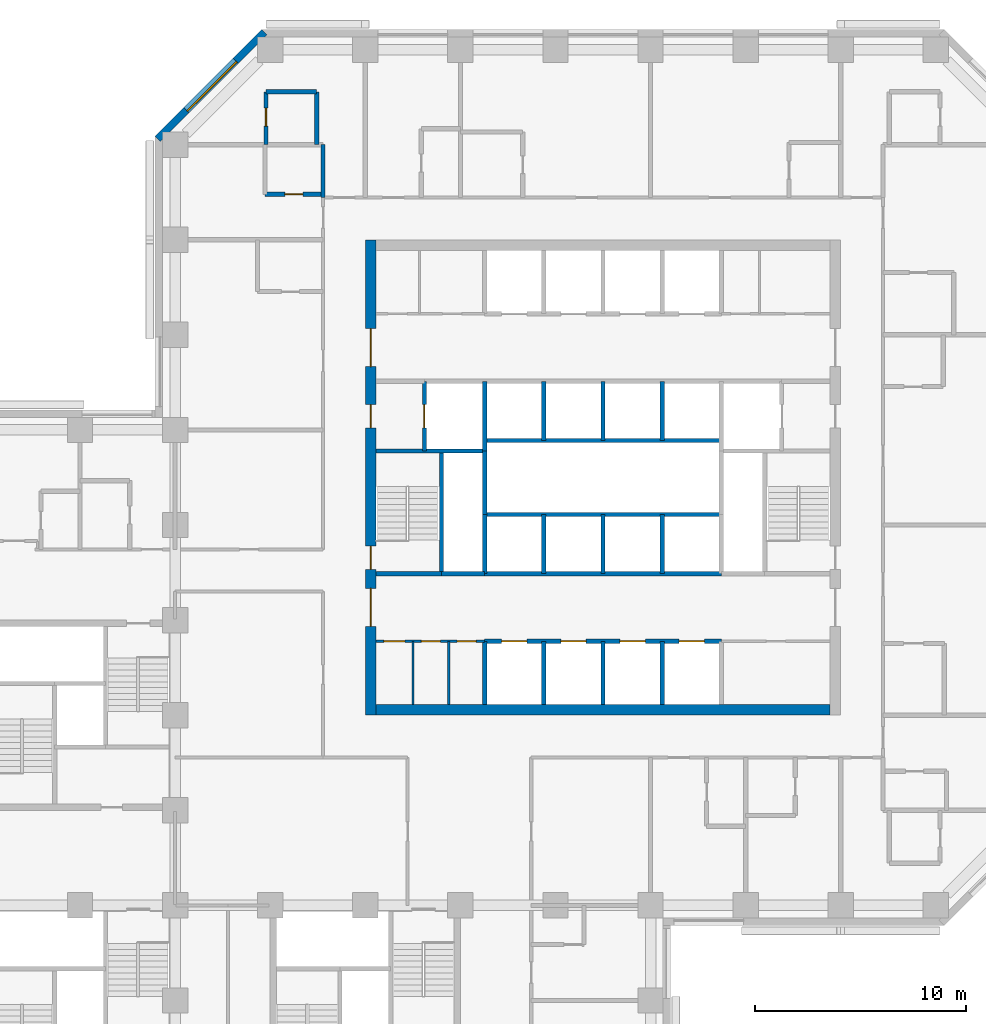
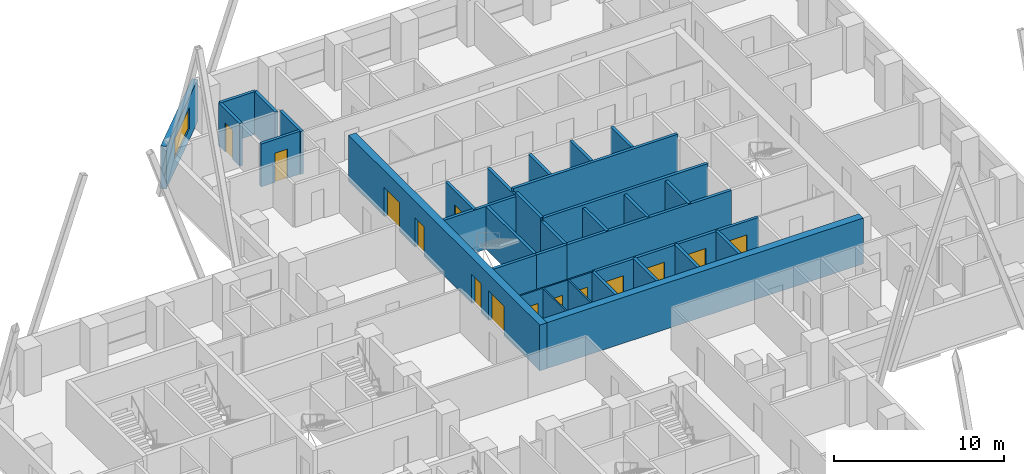
# One storey, part 8 of 13: 33 walls, 14 doors, 1 window, 15 openings.
"""IFC4 building model written with IfcOpenShell, lengths in metres."""

from ifc_helpers import new_model, si_unit, direction, frame, frame_2d, origin, place, context, subcontext, project, spatial, rectangle, extrude, material, layer, layer_set, constituent, constituent_set, type_object, element, fill, save


model = new_model("IFC4")

# Units and contexts
model_context = context("Model", 3, precision=1e-05, world=origin(), true_north=direction((0.0, 1.0)))
body_context = subcontext(model_context, "Body", "Model", "MODEL_VIEW")
ifc_project = project(units=[si_unit("LENGTHUNIT", "METRE"), si_unit("AREAUNIT", "SQUARE_METRE"), si_unit("VOLUMEUNIT", "CUBIC_METRE"), si_unit("PLANEANGLEUNIT", "RADIAN"), si_unit("MASSUNIT", "GRAM", prefix="KILO")], contexts=[model_context])

# Site, building, storey
site_placement = place(None, origin())
site = spatial("IfcSite", under=ifc_project, at=site_placement, CompositionType="ELEMENT")
building_placement = place(site_placement, origin())
building = spatial("IfcBuilding", under=site, at=building_placement, Name="Quoin Convention Tower", CompositionType="ELEMENT")
storey_placement = place(building_placement, frame((0.0, 0.0, 39.60009765625)))
storey = spatial("IfcBuildingStorey", under=building, at=storey_placement, Name="L09", CompositionType="ELEMENT", Elevation=39.60009765625)

# Wall, opening, window
ifc_material_1 = material(Name="Brick masonry", Category="masonry")
ifc_layer_1 = layer(ifc_material_1, 0.35009765625)
ifc_layer_set_1 = layer_set([ifc_layer_1], Name="Brick masonry")
wall_type_1 = type_object("IfcWallType", Name="Brick facade wall", PredefinedType="STANDARD", material=ifc_layer_set_1)
wall_1_placement = place(storey_placement, frame((40.230224609375, 81.826416015625, 0.0), z_axis=(0.0, 0.0, 1.0), x_axis=(-0.707106781187, -0.707106781187, 0.0)))
wall_1 = element("IfcWall", 1, at=wall_1_placement, inside=storey, type_object=wall_type_1, Name="fw-L09-40500_81000", PredefinedType="STANDARD", context=body_context, shape_type="SweptSolid", body=[
    extrude(rectangle(XDim=7.151123046875, YDim=0.35009765625, at=frame_2d((3.57568359375, 0.0))), origin(), (0.0, 0.0, 1.0), 3.054931640625),
])
opening_1_placement = place(wall_1_placement, frame((1.925537109375, 0.0, 0.800048828125)))
opening_1 = element("IfcOpeningElement", 2, at=opening_1_placement, cuts=wall_1, Name="Opening W-01", PredefinedType="OPENING", context=body_context, shape_type="SweptSolid", body=[
    extrude(rectangle(XDim=3.300048828125, YDim=1.5, at=frame_2d((1.64990234375, 0.75))), frame((0.0, 0.18505859375, 0.0), z_axis=(0.0, -1.0, 0.0), x_axis=(1.0, 0.0, 0.0)), (0.0, 0.0, 1.0), 0.3701171875),
])
ifc_material_2 = material(Name="Aluminium", Category="aluminium")
ifc_constituent_1 = constituent(ifc_material_2, Name="Frame")
ifc_material_3 = material(Name="Insulated glass", Category="glass")
ifc_constituent_2 = constituent(ifc_material_3, Name="Glazing")
ifc_constituent_set = constituent_set(constituents=[ifc_constituent_1, ifc_constituent_2], Name="Aluminium")
window_type = type_object("IfcWindowType", Name="Hotel strip window", PartitioningType="DOUBLE_PANEL_VERTICAL", PredefinedType="WINDOW", material=ifc_constituent_set)
window_placement = place(opening_1_placement, origin())
window = element("IfcWindow", 3, at=window_placement, inside=storey, type_object=window_type, Name="win-L09-37702_79298", OverallHeight=1.5, OverallWidth=3.300048828125, PartitioningType="SINGLE_PANEL", PredefinedType="WINDOW", context=body_context, shape_type="SweptSolid", body=[
    extrude(rectangle(XDim=3.300048828125, YDim=1.5, at=frame_2d((1.64990234375, 0.75))), frame((0.0, 0.0849609375, 0.0), z_axis=(0.0, -1.0, 0.0), x_axis=(1.0, 0.0, 0.0)), (0.0, 0.0, 1.0), 0.06005859375),
])
fill(opening_1, window)

# Wall, openings, doors
ifc_material_4 = material(Name="Plasterboard")
ifc_layer_2 = layer(ifc_material_4, 0.012451171875, Name="Finish")
ifc_material_5 = material(Name="Steel stud framing", Category="steel")
ifc_layer_3 = layer(ifc_material_5, 0.074951171875, Name="Structure")
ifc_layer_4 = layer(ifc_material_4, 0.012451171875, Name="Finish")
ifc_layer_set_2 = layer_set([ifc_layer_2, ifc_layer_3, ifc_layer_4], Name="Steel stud framing")
wall_type_2 = type_object("IfcWallType", Name="Core partition wall", PredefinedType="PARTITIONING", material=ifc_layer_set_2)
wall_2_placement = place(storey_placement, frame((45.5, 53.0, 0.0), z_axis=(0.0, 0.0, 1.0), x_axis=(1.0, 0.0, 0.0)))
wall_2 = element("IfcWall", 4, at=wall_2_placement, inside=storey, type_object=wall_type_2, Name="cr-C1-L09-h3500_500", PredefinedType="PARTITIONING", context=body_context, shape_type="SweptSolid", body=[
    extrude(rectangle(XDim=5.14990234375, YDim=0.10009765625, at=frame_2d((2.574951171875, 0.0))), origin(), (0.0, 0.0, 1.0), 3.079833984375),
])
opening_2_placement = place(wall_2_placement, frame((0.37548828125, 0.0, 0.0)))
opening_2 = element("IfcOpeningElement", 5, at=opening_2_placement, cuts=wall_2, Name="Opening DCV3-34", PredefinedType="OPENING", context=body_context, shape_type="SweptSolid", body=[
    extrude(rectangle(XDim=1.0, YDim=2.10009765625, at=frame_2d((0.5, 1.050048828125))), frame((0.0, 0.06005859375, 0.0), z_axis=(0.0, -1.0, 0.0), x_axis=(1.0, 0.0, 0.0)), (0.0, 0.0, 1.0), 0.1201171875),
])
opening_3_placement = place(wall_2_placement, frame((2.150634765625, 0.0, 0.0)))
opening_3 = element("IfcOpeningElement", 6, at=opening_3_placement, cuts=wall_2, Name="Opening DCV3-35", PredefinedType="OPENING", context=body_context, shape_type="SweptSolid", body=[
    extrude(rectangle(XDim=0.89990234375, YDim=2.10009765625, at=frame_2d((0.449951171875, 1.050048828125))), frame((0.0, 0.06005859375, 0.0), z_axis=(0.0, -1.0, 0.0), x_axis=(1.0, 0.0, 0.0)), (0.0, 0.0, 1.0), 0.1201171875),
])
opening_4_placement = place(wall_2_placement, frame((3.85009765625, 0.0, 0.0)))
opening_4 = element("IfcOpeningElement", 7, at=opening_4_placement, cuts=wall_2, Name="Opening DCV3-36", PredefinedType="OPENING", context=body_context, shape_type="SweptSolid", body=[
    extrude(rectangle(XDim=0.89990234375, YDim=2.10009765625, at=frame_2d((0.449951171875, 1.050048828125))), frame((0.0, 0.06005859375, 0.0), z_axis=(0.0, -1.0, 0.0), x_axis=(1.0, 0.0, 0.0)), (0.0, 0.0, 1.0), 0.1201171875),
])
ifc_material_6 = material(Name="Steel door leaf", Category="steel")
door_type_1 = type_object("IfcDoorType", Name="Core room door 1000 x 2100", OperationType="SINGLE_SWING_LEFT", PredefinedType="DOOR", material=ifc_material_6)
door_1_placement = place(opening_2_placement, frame((1.0, 0.0, 0.0), z_axis=(0.0, 0.0, 1.0), x_axis=(-1.0, 0.0, 0.0)))
door_1 = element("IfcDoor", 8, at=door_1_placement, inside=storey, type_object=door_type_1, Name="cd-C1-L09-CSW0-lobA-CD0912", OperationType="SINGLE_SWING_LEFT", OverallHeight=2.10009765625, OverallWidth=1.0, PredefinedType="DOOR", context=body_context, shape_type="SweptSolid", body=[
    extrude(rectangle(XDim=1.0, YDim=2.10009765625, at=frame_2d((0.5, 1.050048828125))), frame((0.0, 0.02490234375, 0.0), z_axis=(0.0, -1.0, 0.0), x_axis=(1.0, 0.0, 0.0)), (0.0, 0.0, 1.0), 0.050048828125),
])
fill(opening_2, door_1)
door_type_2 = type_object("IfcDoorType", Name="Core room door 900 x 2100", OperationType="SINGLE_SWING_LEFT", PredefinedType="DOOR", material=ifc_material_6)
door_2_placement = place(opening_3_placement, frame((0.89990234375, 0.0, 0.0), z_axis=(0.0, 0.0, 1.0), x_axis=(-1.0, 0.0, 0.0)))
door_2 = element("IfcDoor", 9, at=door_2_placement, inside=storey, type_object=door_type_2, Name="cd-C1-L09-CSW1-lobA-CD0913", OperationType="SINGLE_SWING_LEFT", OverallHeight=2.10009765625, OverallWidth=0.89990234375, PredefinedType="DOOR", context=body_context, shape_type="SweptSolid", body=[
    extrude(rectangle(XDim=0.89990234375, YDim=2.10009765625, at=frame_2d((0.449951171875, 1.050048828125))), frame((0.0, 0.02490234375, 0.0), z_axis=(0.0, -1.0, 0.0), x_axis=(1.0, 0.0, 0.0)), (0.0, 0.0, 1.0), 0.050048828125),
])
fill(opening_3, door_2)
door_3_placement = place(opening_4_placement, frame((0.89990234375, 0.0, 0.0), z_axis=(0.0, 0.0, 1.0), x_axis=(-1.0, 0.0, 0.0)))
door_3 = element("IfcDoor", 10, at=door_3_placement, inside=storey, type_object=door_type_2, Name="cd-C1-L09-CSW2-lobA-CD0914", OperationType="SINGLE_SWING_LEFT", OverallHeight=2.10009765625, OverallWidth=0.89990234375, PredefinedType="DOOR", context=body_context, shape_type="SweptSolid", body=[
    extrude(rectangle(XDim=0.89990234375, YDim=2.10009765625, at=frame_2d((0.449951171875, 1.050048828125))), frame((0.0, 0.02490234375, 0.0), z_axis=(0.0, -1.0, 0.0), x_axis=(1.0, 0.0, 0.0)), (0.0, 0.0, 1.0), 0.050048828125),
])
fill(opening_4, door_3)

# Walls
for number, where, z_axis, x_axis, name in (
    (11, (47.2509765625, 50.0, 0.0), (0.0, 0.0, 1.0), (0.0, 1.0, 0.0), "cr-C1-L09-v2251_500"),
    (12, (48.950439453125, 50.0, 0.0), (0.0, 0.0, 1.0), (0.0, 1.0, 0.0), "cr-C1-L09-v3950_500"),
):
    element("IfcWall", number, at=place(storey_placement, frame(where, z_axis=z_axis, x_axis=x_axis)), inside=storey, type_object=wall_type_2, Name=name, PredefinedType="PARTITIONING", context=body_context, shape_type="SweptSolid", body=[
        extrude(rectangle(XDim=3.0, YDim=0.10009765625, at=frame_2d((1.5, 0.0))), origin(), (0.0, 0.0, 1.0), 3.079833984375),
    ])

# Wall, openings, doors
ifc_material_7 = material(Name="Concrete C50", Category="concrete")
ifc_layer_5 = layer(ifc_material_7, 0.199951171875)
ifc_layer_set_3 = layer_set([ifc_layer_5], Name="Concrete C50")
wall_type_3 = type_object("IfcWallType", Name="Core shaft wall", PredefinedType="SOLIDWALL", material=ifc_layer_set_3)
wall_3_placement = place(storey_placement, frame((50.64990234375, 53.0, 0.0), z_axis=(0.0, 0.0, 1.0), x_axis=(1.0, 0.0, 0.0)))
wall_3 = element("IfcWall", 13, at=wall_3_placement, inside=storey, type_object=wall_type_3, Name="cr-C1-L09-h3500_5650", PredefinedType="SOLIDWALL", context=body_context, shape_type="SweptSolid", body=[
    extrude(rectangle(XDim=11.2001953125, YDim=0.199951171875, at=frame_2d((5.60009765625, 0.0))), origin(), (0.0, 0.0, 1.0), 3.079833984375),
])
opening_5_placement = place(wall_3_placement, frame((0.800048828125, 0.0, 0.0)))
opening_5 = element("IfcOpeningElement", 14, at=opening_5_placement, cuts=wall_3, Name="Opening LDL1", PredefinedType="OPENING", context=body_context, shape_type="SweptSolid", body=[
    extrude(rectangle(XDim=1.199951171875, YDim=2.10009765625, at=frame_2d((0.60009765625, 1.050048828125))), frame((0.0, 0.10986328125, 0.0), z_axis=(0.0, -1.0, 0.0), x_axis=(1.0, 0.0, 0.0)), (0.0, 0.0, 1.0), 0.219970703125),
])
opening_6_placement = place(wall_3_placement, frame((3.60009765625, 0.0, 0.0)))
opening_6 = element("IfcOpeningElement", 15, at=opening_6_placement, cuts=wall_3, Name="Opening LDL2", PredefinedType="OPENING", context=body_context, shape_type="SweptSolid", body=[
    extrude(rectangle(XDim=1.199951171875, YDim=2.10009765625, at=frame_2d((0.60009765625, 1.050048828125))), frame((0.0, 0.10986328125, 0.0), z_axis=(0.0, -1.0, 0.0), x_axis=(1.0, 0.0, 0.0)), (0.0, 0.0, 1.0), 0.219970703125),
])
opening_7_placement = place(wall_3_placement, frame((6.39990234375, 0.0, 0.0)))
opening_7 = element("IfcOpeningElement", 16, at=opening_7_placement, cuts=wall_3, Name="Opening LDL3", PredefinedType="OPENING", context=body_context, shape_type="SweptSolid", body=[
    extrude(rectangle(XDim=1.199951171875, YDim=2.10009765625, at=frame_2d((0.60009765625, 1.050048828125))), frame((0.0, 0.10986328125, 0.0), z_axis=(0.0, -1.0, 0.0), x_axis=(1.0, 0.0, 0.0)), (0.0, 0.0, 1.0), 0.219970703125),
])
opening_8_placement = place(wall_3_placement, frame((9.199951171875, 0.0, 0.0)))
opening_8 = element("IfcOpeningElement", 17, at=opening_8_placement, cuts=wall_3, Name="Opening LDL4", PredefinedType="OPENING", context=body_context, shape_type="SweptSolid", body=[
    extrude(rectangle(XDim=1.199951171875, YDim=2.10009765625, at=frame_2d((0.60009765625, 1.050048828125))), frame((0.0, 0.10986328125, 0.0), z_axis=(0.0, -1.0, 0.0), x_axis=(1.0, 0.0, 0.0)), (0.0, 0.0, 1.0), 0.219970703125),
])
door_type_3 = type_object("IfcDoorType", Name="Lift landing door 1200 x 2100", OperationType="DOUBLE_DOOR_SLIDING", PredefinedType="DOOR", material=ifc_material_6)
door_4_placement = place(opening_5_placement, origin())
door_4 = element("IfcDoor", 18, at=door_4_placement, inside=storey, type_object=door_type_3, Name="cd-C1-L09-R10-lobA-LDL1", OperationType="DOUBLE_DOOR_SLIDING", OverallHeight=2.10009765625, OverallWidth=1.199951171875, PredefinedType="DOOR", context=body_context, shape_type="SweptSolid", body=[
    extrude(rectangle(XDim=1.199951171875, YDim=2.10009765625, at=frame_2d((0.60009765625, 1.050048828125))), frame((0.0, 0.02490234375, 0.0), z_axis=(0.0, -1.0, 0.0), x_axis=(1.0, 0.0, 0.0)), (0.0, 0.0, 1.0), 0.050048828125),
])
fill(opening_5, door_4)
door_5_placement = place(opening_6_placement, origin())
door_5 = element("IfcDoor", 19, at=door_5_placement, inside=storey, type_object=door_type_3, Name="cd-C1-L09-R11-lobA-LDL2", OperationType="DOUBLE_DOOR_SLIDING", OverallHeight=2.10009765625, OverallWidth=1.199951171875, PredefinedType="DOOR", context=body_context, shape_type="SweptSolid", body=[
    extrude(rectangle(XDim=1.199951171875, YDim=2.10009765625, at=frame_2d((0.60009765625, 1.050048828125))), frame((0.0, 0.02490234375, 0.0), z_axis=(0.0, -1.0, 0.0), x_axis=(1.0, 0.0, 0.0)), (0.0, 0.0, 1.0), 0.050048828125),
])
fill(opening_6, door_5)
door_6_placement = place(opening_7_placement, origin())
door_6 = element("IfcDoor", 20, at=door_6_placement, inside=storey, type_object=door_type_3, Name="cd-C1-L09-R12-lobA-LDL3", OperationType="DOUBLE_DOOR_SLIDING", OverallHeight=2.10009765625, OverallWidth=1.199951171875, PredefinedType="DOOR", context=body_context, shape_type="SweptSolid", body=[
    extrude(rectangle(XDim=1.199951171875, YDim=2.10009765625, at=frame_2d((0.60009765625, 1.050048828125))), frame((0.0, 0.02490234375, 0.0), z_axis=(0.0, -1.0, 0.0), x_axis=(1.0, 0.0, 0.0)), (0.0, 0.0, 1.0), 0.050048828125),
])
fill(opening_7, door_6)
door_7_placement = place(opening_8_placement, origin())
door_7 = element("IfcDoor", 21, at=door_7_placement, inside=storey, type_object=door_type_3, Name="cd-C1-L09-R13-lobA-LDL4", OperationType="DOUBLE_DOOR_SLIDING", OverallHeight=2.10009765625, OverallWidth=1.199951171875, PredefinedType="DOOR", context=body_context, shape_type="SweptSolid", body=[
    extrude(rectangle(XDim=1.199951171875, YDim=2.10009765625, at=frame_2d((0.60009765625, 1.050048828125))), frame((0.0, 0.02490234375, 0.0), z_axis=(0.0, -1.0, 0.0), x_axis=(1.0, 0.0, 0.0)), (0.0, 0.0, 1.0), 0.050048828125),
])
fill(opening_8, door_7)

# Walls
wall_4_placement = place(storey_placement, frame((48.60009765625, 56.199951171875, 0.0), z_axis=(0.0, 0.0, 1.0), x_axis=(1.0, 0.0, 0.0)))
element("IfcWall", 22, at=wall_4_placement, inside=storey, type_object=wall_type_3, Name="cr-C1-L09-h6700_3600", PredefinedType="SOLIDWALL", context=body_context, shape_type="SweptSolid", body=[
    extrude(rectangle(XDim=2.0498046875, YDim=0.199951171875, at=frame_2d((1.02490234375, 0.0))), origin(), (0.0, 0.0, 1.0), 3.079833984375),
])
wall_5_placement = place(storey_placement, frame((45.5, 56.199951171875, 0.0), z_axis=(0.0, 0.0, 1.0), x_axis=(1.0, 0.0, 0.0)))
element("IfcWall", 23, at=wall_5_placement, inside=storey, type_object=wall_type_3, Name="cr-C1-L09-h6700_500", PredefinedType="SOLIDWALL", context=body_context, shape_type="SweptSolid", body=[
    extrude(rectangle(XDim=3.10009765625, YDim=0.199951171875, at=frame_2d((1.550048828125, 0.0))), origin(), (0.0, 0.0, 1.0), 3.079833984375),
])
wall_6_placement = place(storey_placement, frame((50.64990234375, 56.199951171875, 0.0), z_axis=(0.0, 0.0, 1.0), x_axis=(1.0, 0.0, 0.0)))
element("IfcWall", 24, at=wall_6_placement, inside=storey, type_object=wall_type_3, Name="cr-C1-L09-h6700_5650", PredefinedType="SOLIDWALL", context=body_context, shape_type="SweptSolid", body=[
    extrude(rectangle(XDim=11.2001953125, YDim=0.199951171875, at=frame_2d((5.60009765625, 0.0))), origin(), (0.0, 0.0, 1.0), 3.079833984375),
])
wall_7_placement = place(storey_placement, frame((45.5, 62.0, 0.0), z_axis=(0.0, 0.0, 1.0), x_axis=(1.0, 0.0, 0.0)))
element("IfcWall", 25, at=wall_7_placement, inside=storey, type_object=wall_type_3, Name="cr-C1-L09-h12500_500", PredefinedType="SOLIDWALL", context=body_context, shape_type="SweptSolid", body=[
    extrude(rectangle(XDim=5.14990234375, YDim=0.199951171875, at=frame_2d((2.574951171875, 0.0))), origin(), (0.0, 0.0, 1.0), 3.079833984375),
])

# Wall, opening, door
wall_8_placement = place(storey_placement, frame((47.800048828125, 62.0, 0.0), z_axis=(0.0, 0.0, 1.0), x_axis=(0.0, 1.0, 0.0)))
wall_8 = element("IfcWall", 26, at=wall_8_placement, inside=storey, type_object=wall_type_3, Name="cr-C1-L09-v2800_12500", PredefinedType="SOLIDWALL", context=body_context, shape_type="SweptSolid", body=[
    extrude(rectangle(XDim=3.300048828125, YDim=0.199951171875, at=frame_2d((1.64990234375, 0.0))), origin(), (0.0, 0.0, 1.0), 3.079833984375),
])
opening_9_placement = place(wall_8_placement, frame((1.10009765625, 0.0, 0.0)))
opening_9 = element("IfcOpeningElement", 27, at=opening_9_placement, cuts=wall_8, Name="Opening LDFL1", PredefinedType="OPENING", context=body_context, shape_type="SweptSolid", body=[
    extrude(rectangle(XDim=1.10009765625, YDim=2.10009765625, at=frame_2d((0.550048828125, 1.050048828125))), frame((0.0, 0.10986328125, 0.0), z_axis=(0.0, -1.0, 0.0), x_axis=(1.0, 0.0, 0.0)), (0.0, 0.0, 1.0), 0.219970703125),
])
door_type_4 = type_object("IfcDoorType", Name="Lift landing door 1100 x 2100", OperationType="DOUBLE_DOOR_SLIDING", PredefinedType="DOOR", material=ifc_material_6)
door_8_placement = place(opening_9_placement, origin())
door_8 = element("IfcDoor", 28, at=door_8_placement, inside=storey, type_object=door_type_4, Name="cd-C1-L09-FLW-FFW-LDFL1", OperationType="DOUBLE_DOOR_SLIDING", OverallHeight=2.10009765625, OverallWidth=1.10009765625, PredefinedType="DOOR", context=body_context, shape_type="SweptSolid", body=[
    extrude(rectangle(XDim=1.10009765625, YDim=2.10009765625, at=frame_2d((0.550048828125, 1.050048828125))), frame((0.0, 0.02490234375, 0.0), z_axis=(0.0, -1.0, 0.0), x_axis=(1.0, 0.0, 0.0)), (0.0, 0.0, 1.0), 0.050048828125),
])
fill(opening_9, door_8)

# Walls
wall_9_placement = place(storey_placement, frame((48.60009765625, 56.199951171875, 0.0), z_axis=(0.0, 0.0, 1.0), x_axis=(0.0, 1.0, 0.0)))
element("IfcWall", 29, at=wall_9_placement, inside=storey, type_object=wall_type_3, Name="cr-C1-L09-v3600_6700", PredefinedType="SOLIDWALL", context=body_context, shape_type="SweptSolid", body=[
    extrude(rectangle(XDim=5.800048828125, YDim=0.199951171875, at=frame_2d((2.89990234375, 0.0))), origin(), (0.0, 0.0, 1.0), 3.079833984375),
])
wall_10_placement = place(storey_placement, frame((50.64990234375, 50.0, 0.0), z_axis=(0.0, 0.0, 1.0), x_axis=(0.0, 1.0, 0.0)))
element("IfcWall", 30, at=wall_10_placement, inside=storey, type_object=wall_type_3, Name="cr-C1-L09-v5650_500", PredefinedType="SOLIDWALL", context=body_context, shape_type="SweptSolid", body=[
    extrude(rectangle(XDim=3.0, YDim=0.199951171875, at=frame_2d((1.5, 0.0))), origin(), (0.0, 0.0, 1.0), 3.079833984375),
])
wall_11_placement = place(storey_placement, frame((50.64990234375, 56.199951171875, 0.0), z_axis=(0.0, 0.0, 1.0), x_axis=(0.0, 1.0, 0.0)))
element("IfcWall", 31, at=wall_11_placement, inside=storey, type_object=wall_type_3, Name="cr-C1-L09-v5650_6700", PredefinedType="SOLIDWALL", context=body_context, shape_type="SweptSolid", body=[
    extrude(rectangle(XDim=2.800048828125, YDim=0.199951171875, at=frame_2d((1.39990234375, 0.0))), origin(), (0.0, 0.0, 1.0), 3.079833984375),
])
wall_12_placement = place(storey_placement, frame((50.64990234375, 62.0, 0.0), z_axis=(0.0, 0.0, 1.0), x_axis=(0.0, 1.0, 0.0)))
element("IfcWall", 32, at=wall_12_placement, inside=storey, type_object=wall_type_3, Name="cr-C1-L09-v5650_12500", PredefinedType="SOLIDWALL", context=body_context, shape_type="SweptSolid", body=[
    extrude(rectangle(XDim=3.300048828125, YDim=0.199951171875, at=frame_2d((1.64990234375, 0.0))), origin(), (0.0, 0.0, 1.0), 3.079833984375),
])
wall_13_placement = place(storey_placement, frame((53.449951171875, 50.0, 0.0), z_axis=(0.0, 0.0, 1.0), x_axis=(0.0, 1.0, 0.0)))
element("IfcWall", 33, at=wall_13_placement, inside=storey, type_object=wall_type_3, Name="cr-C1-L09-v8450_500", PredefinedType="SOLIDWALL", context=body_context, shape_type="SweptSolid", body=[
    extrude(rectangle(XDim=3.0, YDim=0.199951171875, at=frame_2d((1.5, 0.0))), origin(), (0.0, 0.0, 1.0), 3.079833984375),
])
for number, where, z_axis, x_axis, name in (
    (34, (53.449951171875, 56.199951171875, 0.0), (0.0, 0.0, 1.0), (0.0, 1.0, 0.0), "cr-C1-L09-v8450_6700"),
    (35, (53.449951171875, 62.5, 0.0), (0.0, 0.0, 1.0), (0.0, 1.0, 0.0), "cr-C1-L09-v8450_13000"),
):
    element("IfcWall", number, at=place(storey_placement, frame(where, z_axis=z_axis, x_axis=x_axis)), inside=storey, type_object=wall_type_3, Name=name, PredefinedType="SOLIDWALL", context=body_context, shape_type="SweptSolid", body=[
        extrude(rectangle(XDim=2.800048828125, YDim=0.199951171875, at=frame_2d((1.39990234375, 0.0))), origin(), (0.0, 0.0, 1.0), 3.079833984375),
    ])
wall_14_placement = place(storey_placement, frame((56.25, 50.0, 0.0), z_axis=(0.0, 0.0, 1.0), x_axis=(0.0, 1.0, 0.0)))
element("IfcWall", 36, at=wall_14_placement, inside=storey, type_object=wall_type_3, Name="cr-C1-L09-v11250_500", PredefinedType="SOLIDWALL", context=body_context, shape_type="SweptSolid", body=[
    extrude(rectangle(XDim=3.0, YDim=0.199951171875, at=frame_2d((1.5, 0.0))), origin(), (0.0, 0.0, 1.0), 3.079833984375),
])
for number, where, z_axis, x_axis, name in (
    (37, (56.25, 56.199951171875, 0.0), (0.0, 0.0, 1.0), (0.0, 1.0, 0.0), "cr-C1-L09-v11250_6700"),
    (38, (56.25, 62.5, 0.0), (0.0, 0.0, 1.0), (0.0, 1.0, 0.0), "cr-C1-L09-v11250_13000"),
):
    element("IfcWall", number, at=place(storey_placement, frame(where, z_axis=z_axis, x_axis=x_axis)), inside=storey, type_object=wall_type_3, Name=name, PredefinedType="SOLIDWALL", context=body_context, shape_type="SweptSolid", body=[
        extrude(rectangle(XDim=2.800048828125, YDim=0.199951171875, at=frame_2d((1.39990234375, 0.0))), origin(), (0.0, 0.0, 1.0), 3.079833984375),
    ])
wall_15_placement = place(storey_placement, frame((59.050048828125, 50.0, 0.0), z_axis=(0.0, 0.0, 1.0), x_axis=(0.0, 1.0, 0.0)))
element("IfcWall", 39, at=wall_15_placement, inside=storey, type_object=wall_type_3, Name="cr-C1-L09-v14050_500", PredefinedType="SOLIDWALL", context=body_context, shape_type="SweptSolid", body=[
    extrude(rectangle(XDim=3.0, YDim=0.199951171875, at=frame_2d((1.5, 0.0))), origin(), (0.0, 0.0, 1.0), 3.079833984375),
])
for number, where, z_axis, x_axis, name in (
    (40, (59.050048828125, 56.199951171875, 0.0), (0.0, 0.0, 1.0), (0.0, 1.0, 0.0), "cr-C1-L09-v14050_6700"),
    (41, (59.050048828125, 62.5, 0.0), (0.0, 0.0, 1.0), (0.0, 1.0, 0.0), "cr-C1-L09-v14050_13000"),
):
    element("IfcWall", number, at=place(storey_placement, frame(where, z_axis=z_axis, x_axis=x_axis)), inside=storey, type_object=wall_type_3, Name=name, PredefinedType="SOLIDWALL", context=body_context, shape_type="SweptSolid", body=[
        extrude(rectangle(XDim=2.800048828125, YDim=0.199951171875, at=frame_2d((1.39990234375, 0.0))), origin(), (0.0, 0.0, 1.0), 3.079833984375),
    ])
ifc_layer_6 = layer(ifc_material_7, 0.199951171875)
ifc_layer_set_4 = layer_set([ifc_layer_6], Name="Concrete C50")
wall_type_4 = type_object("IfcWallType", Name="Core shaft wall to the floor level over", PredefinedType="SOLIDWALL", material=ifc_layer_set_4)
for number, where, z_axis, x_axis, name in (
    (42, (50.64990234375, 59.0, 0.0), (0.0, 0.0, 1.0), (1.0, 0.0, 0.0), "cr-C1-L09-h9500_5650"),
    (43, (50.64990234375, 62.5, 0.0), (0.0, 0.0, 1.0), (1.0, 0.0, 0.0), "cr-C1-L09-h13000_5650"),
):
    element("IfcWall", number, at=place(storey_placement, frame(where, z_axis=z_axis, x_axis=x_axis)), inside=storey, type_object=wall_type_4, Name=name, PredefinedType="SOLIDWALL", context=body_context, shape_type="SweptSolid", body=[
        extrude(rectangle(XDim=11.2001953125, YDim=0.199951171875, at=frame_2d((5.60009765625, 0.0))), origin(), (0.0, 0.0, 1.0), 3.2998046875),
    ])
wall_16_placement = place(storey_placement, frame((50.64990234375, 59.0, 0.0), z_axis=(0.0, 0.0, 1.0), x_axis=(0.0, 1.0, 0.0)))
element("IfcWall", 44, at=wall_16_placement, inside=storey, type_object=wall_type_4, Name="cr-C1-L09-v5650_9500", PredefinedType="SOLIDWALL", context=body_context, shape_type="SweptSolid", body=[
    extrude(rectangle(XDim=3.0, YDim=0.199951171875, at=frame_2d((1.5, 0.0))), origin(), (0.0, 0.0, 1.0), 3.2998046875),
])
ifc_material_8 = material(Name="Concrete C80", Category="concrete")
ifc_layer_7 = layer(ifc_material_8, 0.5)
ifc_layer_set_5 = layer_set([ifc_layer_7], Name="Concrete C80")
wall_type_5 = type_object("IfcWallType", Name="RC CORE WALL 500 C80", PredefinedType="SHEAR", material=ifc_layer_set_5)
wall_17_placement = place(storey_placement, frame((45.5, 49.75, 0.0), z_axis=(0.0, 0.0, 1.0), x_axis=(1.0, 0.0, 0.0)))
element("IfcWall", 45, at=wall_17_placement, inside=storey, type_object=wall_type_5, Name="cwl-C1-L09-S", PredefinedType="SHEAR", context=body_context, shape_type="SweptSolid", body=[
    extrude(rectangle(XDim=21.5, YDim=0.5, at=frame_2d((10.75, 0.0))), origin(), (0.0, 0.0, 1.0), 3.2998046875),
])

# Wall, openings, doors
wall_18_placement = place(storey_placement, frame((45.25, 49.5, 0.0), z_axis=(0.0, 0.0, 1.0), x_axis=(0.0, 1.0, 0.0)))
wall_18 = element("IfcWall", 46, at=wall_18_placement, inside=storey, type_object=wall_type_5, Name="cwl-C1-L09-W", PredefinedType="SHEAR", context=body_context, shape_type="SweptSolid", body=[
    extrude(rectangle(XDim=22.5, YDim=0.5, at=frame_2d((11.25, 0.0))), origin(), (0.0, 0.0, 1.0), 3.2998046875),
])
opening_10_placement = place(wall_18_placement, frame((4.199951171875, 0.0, 0.0)))
opening_10 = element("IfcOpeningElement", 47, at=opening_10_placement, cuts=wall_18, Name="Opening DCV3-40", PredefinedType="OPENING", context=body_context, shape_type="SweptSolid", body=[
    extrude(rectangle(XDim=1.800048828125, YDim=2.10009765625, at=frame_2d((0.89990234375, 1.050048828125))), frame((0.0, 0.260009765625, 0.0), z_axis=(0.0, -1.0, 0.0), x_axis=(1.0, 0.0, 0.0)), (0.0, 0.0, 1.0), 0.52001953125),
])
opening_11_placement = place(wall_18_placement, frame((6.89990234375, 0.0, 0.0)))
opening_11 = element("IfcOpeningElement", 48, at=opening_11_placement, cuts=wall_18, Name="Opening SD1", PredefinedType="OPENING", context=body_context, shape_type="SweptSolid", body=[
    extrude(rectangle(XDim=1.10009765625, YDim=2.10009765625, at=frame_2d((0.550048828125, 1.050048828125))), frame((0.0, 0.260009765625, 0.0), z_axis=(0.0, -1.0, 0.0), x_axis=(1.0, 0.0, 0.0)), (0.0, 0.0, 1.0), 0.52001953125),
])
opening_12_placement = place(wall_18_placement, frame((13.60009765625, 0.0, 0.0)))
opening_12 = element("IfcOpeningElement", 49, at=opening_12_placement, cuts=wall_18, Name="Opening DCV3-39", PredefinedType="OPENING", context=body_context, shape_type="SweptSolid", body=[
    extrude(rectangle(XDim=1.10009765625, YDim=2.10009765625, at=frame_2d((0.550048828125, 1.050048828125))), frame((0.0, 0.260009765625, 0.0), z_axis=(0.0, -1.0, 0.0), x_axis=(1.0, 0.0, 0.0)), (0.0, 0.0, 1.0), 0.52001953125),
])
opening_13_placement = place(wall_18_placement, frame((16.5, 0.0, 0.0)))
opening_13 = element("IfcOpeningElement", 50, at=opening_13_placement, cuts=wall_18, Name="Opening DCV3-40", PredefinedType="OPENING", context=body_context, shape_type="SweptSolid", body=[
    extrude(rectangle(XDim=1.800048828125, YDim=2.10009765625, at=frame_2d((0.89990234375, 1.050048828125))), frame((0.0, 0.260009765625, 0.0), z_axis=(0.0, -1.0, 0.0), x_axis=(1.0, 0.0, 0.0)), (0.0, 0.0, 1.0), 0.52001953125),
])
door_type_5 = type_object("IfcDoorType", Name="Fire-fighting lobby door 1100 x 2100", OperationType="SINGLE_SWING_LEFT", PredefinedType="DOOR", material=ifc_material_6)
door_9_placement = place(opening_12_placement, frame((1.10009765625, 0.0, 0.0), z_axis=(0.0, 0.0, 1.0), x_axis=(-1.0, 0.0, 0.0)))
door_9 = element("IfcDoor", 51, at=door_9_placement, inside=storey, type_object=door_type_5, Name="cd-C1-L09-FFW-W", OperationType="SINGLE_SWING_LEFT", OverallHeight=2.10009765625, OverallWidth=1.10009765625, PredefinedType="DOOR", context=body_context, shape_type="SweptSolid", body=[
    extrude(rectangle(XDim=1.10009765625, YDim=2.10009765625, at=frame_2d((0.550048828125, 1.050048828125))), frame((0.0, 0.02490234375, 0.0), z_axis=(0.0, -1.0, 0.0), x_axis=(1.0, 0.0, 0.0)), (0.0, 0.0, 1.0), 0.050048828125),
])
fill(opening_12, door_9)
door_type_6 = type_object("IfcDoorType", Name="Lift lobby door 1800 x 2100", OperationType="SINGLE_SWING_LEFT", PredefinedType="DOOR", material=ifc_material_6)
door_10_placement = place(opening_10_placement, frame((1.800048828125, 0.0, 0.0), z_axis=(0.0, 0.0, 1.0), x_axis=(-1.0, 0.0, 0.0)))
door_10 = element("IfcDoor", 52, at=door_10_placement, inside=storey, type_object=door_type_6, Name="cd-C1-L09-lobA-W", OperationType="SINGLE_SWING_LEFT", OverallHeight=2.10009765625, OverallWidth=1.800048828125, PredefinedType="DOOR", context=body_context, shape_type="SweptSolid", body=[
    extrude(rectangle(XDim=1.800048828125, YDim=2.10009765625, at=frame_2d((0.89990234375, 1.050048828125))), frame((0.0, 0.02490234375, 0.0), z_axis=(0.0, -1.0, 0.0), x_axis=(1.0, 0.0, 0.0)), (0.0, 0.0, 1.0), 0.050048828125),
])
fill(opening_10, door_10)
door_11_placement = place(opening_13_placement, frame((1.800048828125, 0.0, 0.0), z_axis=(0.0, 0.0, 1.0), x_axis=(-1.0, 0.0, 0.0)))
door_11 = element("IfcDoor", 53, at=door_11_placement, inside=storey, type_object=door_type_6, Name="cd-C1-L09-lobB-W", OperationType="SINGLE_SWING_LEFT", OverallHeight=2.10009765625, OverallWidth=1.800048828125, PredefinedType="DOOR", context=body_context, shape_type="SweptSolid", body=[
    extrude(rectangle(XDim=1.800048828125, YDim=2.10009765625, at=frame_2d((0.89990234375, 1.050048828125))), frame((0.0, 0.02490234375, 0.0), z_axis=(0.0, -1.0, 0.0), x_axis=(1.0, 0.0, 0.0)), (0.0, 0.0, 1.0), 0.050048828125),
])
fill(opening_13, door_11)
door_type_7 = type_object("IfcDoorType", Name="Stair door 1100 x 2100", OperationType="SINGLE_SWING_RIGHT", PredefinedType="DOOR", material=ifc_material_6)
door_12_placement = place(opening_11_placement, frame((1.10009765625, 0.0, 0.0), z_axis=(0.0, 0.0, 1.0), x_axis=(-1.0, 0.0, 0.0)))
door_12 = element("IfcDoor", 54, at=door_12_placement, inside=storey, type_object=door_type_7, Name="cd-C1-L09-STW-W", OperationType="SINGLE_SWING_RIGHT", OverallHeight=2.10009765625, OverallWidth=1.10009765625, PredefinedType="DOOR", context=body_context, shape_type="SweptSolid", body=[
    extrude(rectangle(XDim=1.10009765625, YDim=2.10009765625, at=frame_2d((0.550048828125, 1.050048828125))), frame((0.0, 0.02490234375, 0.0), z_axis=(0.0, -1.0, 0.0), x_axis=(1.0, 0.0, 0.0)), (0.0, 0.0, 1.0), 0.050048828125),
])
fill(opening_11, door_12)

# Wall
ifc_layer_8 = layer(ifc_material_7, 0.199951171875)
ifc_layer_set_6 = layer_set([ifc_layer_8], Name="Concrete C50")
wall_type_6 = type_object("IfcWallType", Name="RC party wall", PredefinedType="SOLIDWALL", material=ifc_layer_set_6)
wall_19_placement = place(storey_placement, frame((43.0, 74.0, 0.0), z_axis=(0.0, 0.0, 1.0), x_axis=(0.0, 1.0, 0.0)))
element("IfcWall", 55, at=wall_19_placement, inside=storey, type_object=wall_type_6, Name="pw-L09-117", PredefinedType="SOLIDWALL", context=body_context, shape_type="SweptSolid", body=[
    extrude(rectangle(XDim=2.5, YDim=0.199951171875, at=frame_2d((1.25, 0.0))), origin(), (0.0, 0.0, 1.0), 3.079833984375),
])

# Wall, opening, door
wall_20_placement = place(storey_placement, frame((40.25, 74.14990234375, 0.0), z_axis=(0.0, 0.0, 1.0), x_axis=(1.0, 0.0, 0.0)))
wall_20 = element("IfcWall", 56, at=wall_20_placement, inside=storey, type_object=wall_type_6, Name="pw-L09-126", PredefinedType="SOLIDWALL", context=body_context, shape_type="SweptSolid", body=[
    extrude(rectangle(XDim=2.75, YDim=0.199951171875, at=frame_2d((1.375, 0.0))), origin(), (0.0, 0.0, 1.0), 3.079833984375),
])
opening_14_placement = place(wall_20_placement, frame((0.949951171875, 0.0, 0.0)))
opening_14 = element("IfcOpeningElement", 57, at=opening_14_placement, cuts=wall_20, Name="Opening DHOTEL-E-60", PredefinedType="OPENING", context=body_context, shape_type="SweptSolid", body=[
    extrude(rectangle(XDim=0.85009765625, YDim=2.10009765625, at=frame_2d((0.425048828125, 1.050048828125))), frame((0.0, 0.10986328125, 0.0), z_axis=(0.0, -1.0, 0.0), x_axis=(1.0, 0.0, 0.0)), (0.0, 0.0, 1.0), 0.219970703125),
])
door_type_8 = type_object("IfcDoorType", Name="Bathroom door", OperationType="SINGLE_SWING_LEFT", PredefinedType="DOOR", material=ifc_material_6)
door_13_placement = place(opening_14_placement, frame((0.85009765625, 0.0, 0.0), z_axis=(0.0, 0.0, 1.0), x_axis=(-1.0, 0.0, 0.0)))
door_13 = element("IfcDoor", 58, at=door_13_placement, inside=storey, type_object=door_type_8, Name="dr-L09-030", OperationType="SINGLE_SWING_LEFT", OverallHeight=2.10009765625, OverallWidth=0.85009765625, PredefinedType="DOOR", context=body_context, shape_type="SweptSolid", body=[
    extrude(rectangle(XDim=0.85009765625, YDim=2.10009765625, at=frame_2d((0.425048828125, 1.050048828125))), frame((0.0, 0.02490234375, 0.0), z_axis=(0.0, -1.0, 0.0), x_axis=(1.0, 0.0, 0.0)), (0.0, 0.0, 1.0), 0.050048828125),
])
fill(opening_14, door_13)

wall_21_placement = place(storey_placement, frame((40.300048828125, 76.5, 0.0), z_axis=(0.0, 0.0, 1.0), x_axis=(0.0, 1.0, 0.0)))
wall_21 = element("IfcWall", 59, at=wall_21_placement, inside=storey, type_object=wall_type_6, Name="pw-L09-129", PredefinedType="SOLIDWALL", context=body_context, shape_type="SweptSolid", body=[
    extrude(rectangle(XDim=2.5, YDim=0.199951171875, at=frame_2d((1.25, 0.0))), origin(), (0.0, 0.0, 1.0), 3.079833984375),
])
opening_15_placement = place(wall_21_placement, frame((0.875, 0.0, 0.0)))
opening_15 = element("IfcOpeningElement", 60, at=opening_15_placement, cuts=wall_21, Name="Opening DHOTEL-E-61", PredefinedType="OPENING", context=body_context, shape_type="SweptSolid", body=[
    extrude(rectangle(XDim=0.85009765625, YDim=2.10009765625, at=frame_2d((0.425048828125, 1.050048828125))), frame((0.0, 0.10986328125, 0.0), z_axis=(0.0, -1.0, 0.0), x_axis=(1.0, 0.0, 0.0)), (0.0, 0.0, 1.0), 0.219970703125),
])
door_14_placement = place(opening_15_placement, origin())
door_14 = element("IfcDoor", 61, at=door_14_placement, inside=storey, type_object=door_type_8, Name="dr-L09-056", OperationType="SINGLE_SWING_RIGHT", OverallHeight=2.10009765625, OverallWidth=0.85009765625, PredefinedType="DOOR", context=body_context, shape_type="SweptSolid", body=[
    extrude(rectangle(XDim=0.85009765625, YDim=2.10009765625, at=frame_2d((0.425048828125, 1.050048828125))), frame((0.0, 0.02490234375, 0.0), z_axis=(0.0, -1.0, 0.0), x_axis=(1.0, 0.0, 0.0)), (0.0, 0.0, 1.0), 0.050048828125),
])
fill(opening_15, door_14)

# Walls
wall_22_placement = place(storey_placement, frame((42.699951171875, 76.5, 0.0), z_axis=(0.0, 0.0, 1.0), x_axis=(0.0, 1.0, 0.0)))
element("IfcWall", 62, at=wall_22_placement, inside=storey, type_object=wall_type_6, Name="pw-L09-130", PredefinedType="SOLIDWALL", context=body_context, shape_type="SweptSolid", body=[
    extrude(rectangle(XDim=2.5, YDim=0.199951171875, at=frame_2d((1.25, 0.0))), origin(), (0.0, 0.0, 1.0), 3.079833984375),
])
wall_23_placement = place(storey_placement, frame((40.300048828125, 79.0, 0.0), z_axis=(0.0, 0.0, 1.0), x_axis=(1.0, 0.0, 0.0)))
element("IfcWall", 63, at=wall_23_placement, inside=storey, type_object=wall_type_6, Name="pw-L09-137", PredefinedType="SOLIDWALL", context=body_context, shape_type="SweptSolid", body=[
    extrude(rectangle(XDim=2.39990234375, YDim=0.199951171875, at=frame_2d((1.199951171875, 0.0))), origin(), (0.0, 0.0, 1.0), 3.079833984375),
])

save(model, "model.ifc")
